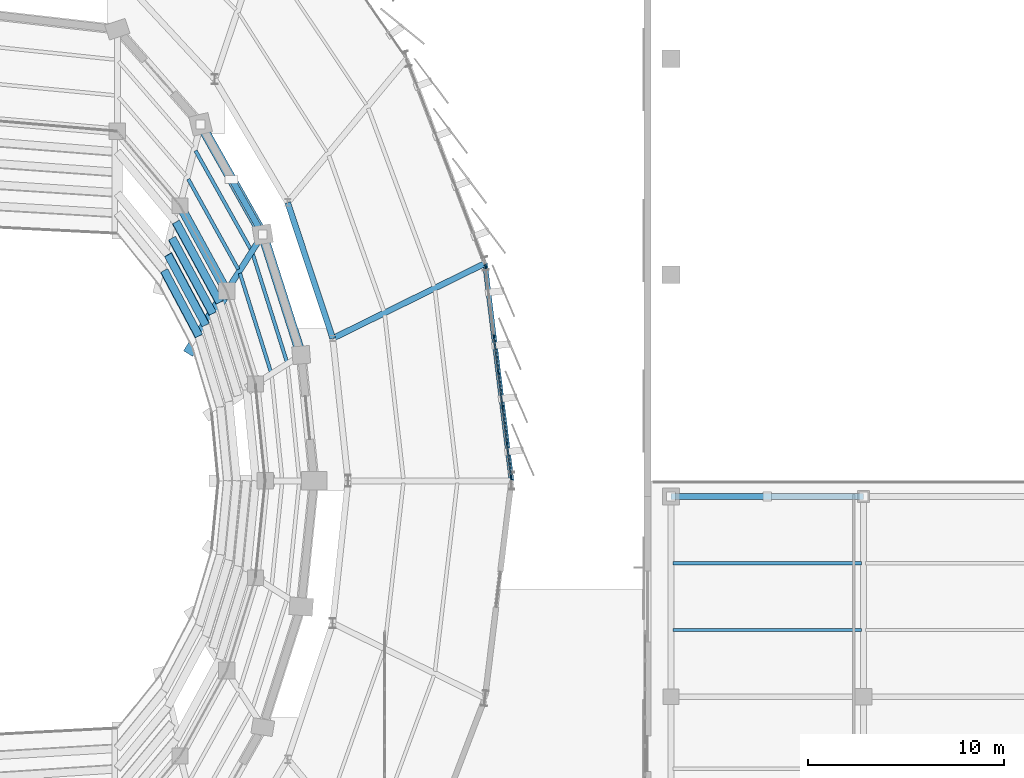
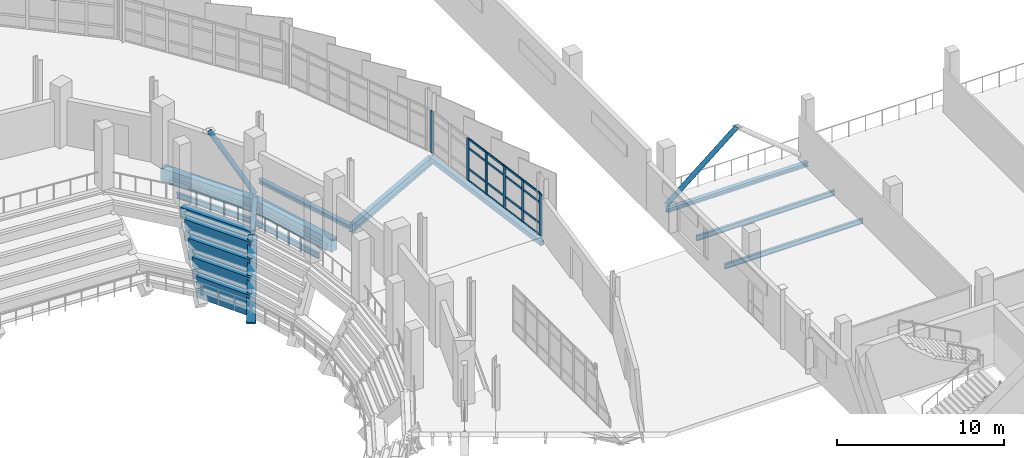
# One storey, part 73 of 134: 24 members, 23 beams, 1 element without a shape of its own.
"""IFC4 building model written with IfcOpenShell, lengths in metres."""

from ifc_helpers import new_model, si_unit, direction, frame, origin, origin_2d, place, context, subcontext, project, spatial, rectangle, hollow_rectangle, hollow_circle, i_section, extrude, material, layer, layer_set, material_profile, profile_set, type_object, element, aggregate, save


model = new_model("IFC4")

# Units and contexts
model_context = context("Model", 3, precision=1e-05, world=origin(), true_north=direction((0.0, 1.0)))
body_context = subcontext(model_context, "Body", "Model", "MODEL_VIEW")
ifc_project = project(units=[si_unit("LENGTHUNIT", "METRE"), si_unit("AREAUNIT", "SQUARE_METRE"), si_unit("VOLUMEUNIT", "CUBIC_METRE"), si_unit("PLANEANGLEUNIT", "RADIAN"), si_unit("MASSUNIT", "GRAM", prefix="KILO")], contexts=[model_context])

# Site, building, storey
site_placement = place(None, origin())
site = spatial("IfcSite", under=ifc_project, at=site_placement, CompositionType="ELEMENT")
building_placement = place(site_placement, origin())
building = spatial("IfcBuilding", under=site, at=building_placement, Name="Sohan Crest Arena", CompositionType="ELEMENT")
storey_placement = place(building_placement, frame((0.0, 0.0, 4.5)))
storey = spatial("IfcBuildingStorey", under=building, at=storey_placement, Name="L01", CompositionType="ELEMENT", Elevation=4.5)

# Curtain wall, members
ifc_material_1 = material(Name="Thermally broken anodised aluminium", Category="aluminium")
ifc_layer = layer(ifc_material_1, 0.2099609375, Name="Thermally broken anodised aluminium")
ifc_layer_set = layer_set([ifc_layer], Name="Thermally broken anodised aluminium")
curtain_wall_type = type_object("IfcCurtainWallType", Name="ARC-CW06", PredefinedType="NOTDEFINED", material=ifc_layer_set)
curtain_wall_placement = place(storey_placement, origin())
curtain_wall = element("IfcCurtainWall", 1, at=curtain_wall_placement, inside=storey, type_object=curtain_wall_type, Name="Unitised curtain wall CW-039", PredefinedType="NOTDEFINED")
ifc_material_profile_1 = material_profile(ifc_material_1, rectangle(XDim=0.074951171875, YDim=0.219970703125, at=origin_2d()), Name="ALU-MULL 75x220")
ifc_profile_set_1 = profile_set([ifc_material_profile_1], Name="Thermally broken anodised aluminium")
member_type_1 = type_object("IfcMemberType", Name="ARC-CW-ML04", PredefinedType="MULLION", material=ifc_profile_set_1)
member_1_placement = place(storey_placement, frame((188.056396484375, 78.166259765625, 0.0), z_axis=(0.0, 0.0, 1.0), x_axis=(-0.992629724266, -0.121186758784, 0.0)))
member_1 = element("IfcMember", 2, at=member_1_placement, type_object=member_type_1, Name="CW-039 mullion 1", PredefinedType="MULLION", context=body_context, shape_type="SweptSolid", body=[
    extrude(rectangle(XDim=0.074951171875, YDim=0.219970703125, at=origin_2d()), origin(), (0.0, 0.0, 1.0), 3.1201171875),
])
member_2_placement = place(storey_placement, frame((187.841064453125, 79.930908203125, 0.0), z_axis=(0.0, 0.0, 1.0), x_axis=(-0.992629724266, -0.121186758784, 0.0)))
member_2 = element("IfcMember", 3, at=member_2_placement, type_object=member_type_1, Name="CW-039 mullion 2", PredefinedType="MULLION", context=body_context, shape_type="SweptSolid", body=[
    extrude(rectangle(XDim=0.074951171875, YDim=0.219970703125, at=origin_2d()), origin(), (0.0, 0.0, 1.0), 3.1201171875),
])
member_3_placement = place(storey_placement, frame((187.62109375, 81.73291015625, 0.0), z_axis=(0.0, 0.0, 1.0), x_axis=(-0.992629724266, -0.121186758784, 0.0)))
member_3 = element("IfcMember", 4, at=member_3_placement, type_object=member_type_1, Name="CW-039 mullion 3", PredefinedType="MULLION", context=body_context, shape_type="SweptSolid", body=[
    extrude(rectangle(XDim=0.074951171875, YDim=0.219970703125, at=origin_2d()), origin(), (0.0, 0.0, 1.0), 3.1201171875),
])
member_4_placement = place(storey_placement, frame((187.40087890625, 83.534912109375, 0.0), z_axis=(0.0, 0.0, 1.0), x_axis=(-0.992629724266, -0.121186758784, 0.0)))
member_4 = element("IfcMember", 5, at=member_4_placement, type_object=member_type_1, Name="CW-039 mullion 4", PredefinedType="MULLION", context=body_context, shape_type="SweptSolid", body=[
    extrude(rectangle(XDim=0.074951171875, YDim=0.219970703125, at=origin_2d()), origin(), (0.0, 0.0, 1.0), 3.1201171875),
])
member_5_placement = place(storey_placement, frame((187.180908203125, 85.3369140625, 0.0), z_axis=(0.0, 0.0, 1.0), x_axis=(-0.992629724266, -0.121186758784, 0.0)))
member_5 = element("IfcMember", 6, at=member_5_placement, type_object=member_type_1, Name="CW-039 mullion 5", PredefinedType="MULLION", context=body_context, shape_type="SweptSolid", body=[
    extrude(rectangle(XDim=0.074951171875, YDim=0.219970703125, at=origin_2d()), origin(), (0.0, 0.0, 1.0), 3.1201171875),
])
member_6_placement = place(storey_placement, frame((186.74560546875, 88.90380859375, 0.0), z_axis=(0.0, 0.0, 1.0), x_axis=(-0.992629724266, -0.121186758784, 0.0)))
member_6 = element("IfcMember", 7, at=member_6_placement, type_object=member_type_1, Name="CW-039 mullion 7", PredefinedType="MULLION", context=body_context, shape_type="SweptSolid", body=[
    extrude(rectangle(XDim=0.074951171875, YDim=0.219970703125, at=origin_2d()), origin(), (0.0, 0.0, 1.0), 3.1201171875),
])
ifc_material_profile_2 = material_profile(ifc_material_1, rectangle(XDim=0.070068359375, YDim=0.14990234375, at=origin_2d()), Name="ALU-TRAN 70x150")
ifc_profile_set_2 = profile_set([ifc_material_profile_2], Name="Thermally broken anodised aluminium")
member_type_2 = type_object("IfcMemberType", Name="ARC-CW-TR03", PredefinedType="USERDEFINED", material=ifc_profile_set_2)
member_7_placement = place(storey_placement, frame((188.052001953125, 78.203369140625, 0.034912109375), z_axis=(-0.121281763467, 0.992618120855, 0.0), x_axis=(-0.992618120855, -0.121281763467, 0.0)))
member_7 = element("IfcMember", 8, at=member_7_placement, type_object=member_type_2, Name="CW-039 transom 1.1", ObjectType="TRANSOM", PredefinedType="USERDEFINED", context=body_context, shape_type="SweptSolid", body=[
    extrude(rectangle(XDim=0.070068359375, YDim=0.14990234375, at=origin_2d()), origin(), (0.0, 0.0, 1.0), 1.702880859375),
])
member_8_placement = place(storey_placement, frame((188.052001953125, 78.203369140625, 0.89990234375), z_axis=(-0.121281763467, 0.992618120855, 0.0), x_axis=(-0.992618120855, -0.121281763467, 0.0)))
member_8 = element("IfcMember", 9, at=member_8_placement, type_object=member_type_2, Name="CW-039 transom 1.2", ObjectType="TRANSOM", PredefinedType="USERDEFINED", context=body_context, shape_type="SweptSolid", body=[
    extrude(rectangle(XDim=0.070068359375, YDim=0.14990234375, at=origin_2d()), origin(), (0.0, 0.0, 1.0), 1.702880859375),
])
member_9_placement = place(storey_placement, frame((188.052001953125, 78.203369140625, 2.419921875), z_axis=(-0.121281763467, 0.992618120855, 0.0), x_axis=(-0.992618120855, -0.121281763467, 0.0)))
member_9 = element("IfcMember", 10, at=member_9_placement, type_object=member_type_2, Name="CW-039 transom 1.3", ObjectType="TRANSOM", PredefinedType="USERDEFINED", context=body_context, shape_type="SweptSolid", body=[
    extrude(rectangle(XDim=0.070068359375, YDim=0.14990234375, at=origin_2d()), origin(), (0.0, 0.0, 1.0), 1.702880859375),
])
member_10_placement = place(storey_placement, frame((188.052001953125, 78.203369140625, 3.0849609375), z_axis=(-0.121281763467, 0.992618120855, 0.0), x_axis=(-0.992618120855, -0.121281763467, 0.0)))
member_10 = element("IfcMember", 11, at=member_10_placement, type_object=member_type_2, Name="CW-039 transom 1.4", ObjectType="TRANSOM", PredefinedType="USERDEFINED", context=body_context, shape_type="SweptSolid", body=[
    extrude(rectangle(XDim=0.070068359375, YDim=0.14990234375, at=origin_2d()), origin(), (0.0, 0.0, 1.0), 1.702880859375),
])
member_11_placement = place(storey_placement, frame((187.83642578125, 79.96826171875, 0.034912109375), z_axis=(-0.121202713219, 0.992627776313, 0.0), x_axis=(-0.992627776313, -0.121202713219, 0.0)))
member_11 = element("IfcMember", 12, at=member_11_placement, type_object=member_type_2, Name="CW-039 transom 2.1", ObjectType="TRANSOM", PredefinedType="USERDEFINED", context=body_context, shape_type="SweptSolid", body=[
    extrude(rectangle(XDim=0.070068359375, YDim=0.14990234375, at=origin_2d()), origin(), (0.0, 0.0, 1.0), 1.740478515625),
])
member_12_placement = place(storey_placement, frame((187.83642578125, 79.96826171875, 0.89990234375), z_axis=(-0.121202713219, 0.992627776313, 0.0), x_axis=(-0.992627776313, -0.121202713219, 0.0)))
member_12 = element("IfcMember", 13, at=member_12_placement, type_object=member_type_2, Name="CW-039 transom 2.2", ObjectType="TRANSOM", PredefinedType="USERDEFINED", context=body_context, shape_type="SweptSolid", body=[
    extrude(rectangle(XDim=0.070068359375, YDim=0.14990234375, at=origin_2d()), origin(), (0.0, 0.0, 1.0), 1.740478515625),
])
member_13_placement = place(storey_placement, frame((187.83642578125, 79.96826171875, 2.419921875), z_axis=(-0.121202713219, 0.992627776313, 0.0), x_axis=(-0.992627776313, -0.121202713219, 0.0)))
member_13 = element("IfcMember", 14, at=member_13_placement, type_object=member_type_2, Name="CW-039 transom 2.3", ObjectType="TRANSOM", PredefinedType="USERDEFINED", context=body_context, shape_type="SweptSolid", body=[
    extrude(rectangle(XDim=0.070068359375, YDim=0.14990234375, at=origin_2d()), origin(), (0.0, 0.0, 1.0), 1.740478515625),
])
member_14_placement = place(storey_placement, frame((187.83642578125, 79.96826171875, 3.0849609375), z_axis=(-0.121202713219, 0.992627776313, 0.0), x_axis=(-0.992627776313, -0.121202713219, 0.0)))
member_14 = element("IfcMember", 15, at=member_14_placement, type_object=member_type_2, Name="CW-039 transom 2.4", ObjectType="TRANSOM", PredefinedType="USERDEFINED", context=body_context, shape_type="SweptSolid", body=[
    extrude(rectangle(XDim=0.070068359375, YDim=0.14990234375, at=origin_2d()), origin(), (0.0, 0.0, 1.0), 1.740478515625),
])
member_15_placement = place(storey_placement, frame((187.616455078125, 81.770263671875, 0.034912109375), z_axis=(-0.121202713219, 0.992627776313, 0.0), x_axis=(-0.992627776313, -0.121202713219, 0.0)))
member_15 = element("IfcMember", 16, at=member_15_placement, type_object=member_type_2, Name="CW-039 transom 3.1", ObjectType="TRANSOM", PredefinedType="USERDEFINED", context=body_context, shape_type="SweptSolid", body=[
    extrude(rectangle(XDim=0.070068359375, YDim=0.14990234375, at=origin_2d()), origin(), (0.0, 0.0, 1.0), 1.740478515625),
])
member_16_placement = place(storey_placement, frame((187.616455078125, 81.770263671875, 0.89990234375), z_axis=(-0.121202713219, 0.992627776313, 0.0), x_axis=(-0.992627776313, -0.121202713219, 0.0)))
member_16 = element("IfcMember", 17, at=member_16_placement, type_object=member_type_2, Name="CW-039 transom 3.2", ObjectType="TRANSOM", PredefinedType="USERDEFINED", context=body_context, shape_type="SweptSolid", body=[
    extrude(rectangle(XDim=0.070068359375, YDim=0.14990234375, at=origin_2d()), origin(), (0.0, 0.0, 1.0), 1.740478515625),
])
member_17_placement = place(storey_placement, frame((187.616455078125, 81.770263671875, 2.419921875), z_axis=(-0.121202713219, 0.992627776313, 0.0), x_axis=(-0.992627776313, -0.121202713219, 0.0)))
member_17 = element("IfcMember", 18, at=member_17_placement, type_object=member_type_2, Name="CW-039 transom 3.3", ObjectType="TRANSOM", PredefinedType="USERDEFINED", context=body_context, shape_type="SweptSolid", body=[
    extrude(rectangle(XDim=0.070068359375, YDim=0.14990234375, at=origin_2d()), origin(), (0.0, 0.0, 1.0), 1.740478515625),
])
member_18_placement = place(storey_placement, frame((187.616455078125, 81.770263671875, 3.0849609375), z_axis=(-0.121202713219, 0.992627776313, 0.0), x_axis=(-0.992627776313, -0.121202713219, 0.0)))
member_18 = element("IfcMember", 19, at=member_18_placement, type_object=member_type_2, Name="CW-039 transom 3.4", ObjectType="TRANSOM", PredefinedType="USERDEFINED", context=body_context, shape_type="SweptSolid", body=[
    extrude(rectangle(XDim=0.070068359375, YDim=0.14990234375, at=origin_2d()), origin(), (0.0, 0.0, 1.0), 1.740478515625),
])
member_19_placement = place(storey_placement, frame((187.396484375, 83.572265625, 0.034912109375), z_axis=(-0.121202713219, 0.992627776313, 0.0), x_axis=(-0.992627776313, -0.121202713219, 0.0)))
member_19 = element("IfcMember", 20, at=member_19_placement, type_object=member_type_2, Name="CW-039 transom 4.1", ObjectType="TRANSOM", PredefinedType="USERDEFINED", context=body_context, shape_type="SweptSolid", body=[
    extrude(rectangle(XDim=0.070068359375, YDim=0.14990234375, at=origin_2d()), origin(), (0.0, 0.0, 1.0), 1.740478515625),
])
member_20_placement = place(storey_placement, frame((187.396484375, 83.572265625, 0.89990234375), z_axis=(-0.121202713219, 0.992627776313, 0.0), x_axis=(-0.992627776313, -0.121202713219, 0.0)))
member_20 = element("IfcMember", 21, at=member_20_placement, type_object=member_type_2, Name="CW-039 transom 4.2", ObjectType="TRANSOM", PredefinedType="USERDEFINED", context=body_context, shape_type="SweptSolid", body=[
    extrude(rectangle(XDim=0.070068359375, YDim=0.14990234375, at=origin_2d()), origin(), (0.0, 0.0, 1.0), 1.740478515625),
])
member_21_placement = place(storey_placement, frame((187.396484375, 83.572265625, 2.419921875), z_axis=(-0.121202713219, 0.992627776313, 0.0), x_axis=(-0.992627776313, -0.121202713219, 0.0)))
member_21 = element("IfcMember", 22, at=member_21_placement, type_object=member_type_2, Name="CW-039 transom 4.3", ObjectType="TRANSOM", PredefinedType="USERDEFINED", context=body_context, shape_type="SweptSolid", body=[
    extrude(rectangle(XDim=0.070068359375, YDim=0.14990234375, at=origin_2d()), origin(), (0.0, 0.0, 1.0), 1.740478515625),
])
member_22_placement = place(storey_placement, frame((187.396484375, 83.572265625, 3.0849609375), z_axis=(-0.121202713219, 0.992627776313, 0.0), x_axis=(-0.992627776313, -0.121202713219, 0.0)))
member_22 = element("IfcMember", 23, at=member_22_placement, type_object=member_type_2, Name="CW-039 transom 4.4", ObjectType="TRANSOM", PredefinedType="USERDEFINED", context=body_context, shape_type="SweptSolid", body=[
    extrude(rectangle(XDim=0.070068359375, YDim=0.14990234375, at=origin_2d()), origin(), (0.0, 0.0, 1.0), 1.740478515625),
])
aggregate(curtain_wall, [member_1, member_2, member_3, member_4, member_5, member_6, member_7, member_8, member_9, member_10, member_11, member_12, member_13, member_14, member_15, member_16, member_17, member_18, member_19, member_20, member_21, member_22])

# Beams
ifc_material_2 = material(Name="Steel S355", Category="steel")
ifc_material_profile_3 = material_profile(ifc_material_2, i_section(OverallWidth=0.169921875, OverallDepth=0.360107421875, WebThickness=0.008056640625, FlangeThickness=0.0126953125, at=origin_2d()), Name="IPE 360")
ifc_profile_set_3 = profile_set([ifc_material_profile_3], Name="Steel S355")
beam_type_1 = type_object("IfcBeamType", Name="STR-BM-B02", PredefinedType="JOIST", material=ifc_profile_set_3)
for number, where, z_axis, x_axis, name in (
    (24, (196.31005859375, 70.39990234375, -0.409912109375), (1.0, 0.0, 0.0), (0.0, 1.0, 0.0), "Structural beam J-L01-2293"),
    (25, (196.31005859375, 73.800048828125, -0.409912109375), (1.0, 0.0, 0.0), (0.0, 1.0, 0.0), "Structural beam J-L01-2294"),
):
    element("IfcBeam", number, at=place(storey_placement, frame(where, z_axis=z_axis, x_axis=x_axis)), inside=storey, type_object=beam_type_1, Name=name, PredefinedType="JOIST", context=body_context, shape_type="SweptSolid", body=[
        extrude(i_section(OverallWidth=0.169921875, OverallDepth=0.360107421875, WebThickness=0.008056640625, FlangeThickness=0.0126953125, at=origin_2d()), origin(), (0.0, 0.0, 1.0), 9.579833984375),
    ])
ifc_material_profile_4 = material_profile(ifc_material_2, i_section(OverallWidth=0.179931640625, OverallDepth=0.39990234375, WebThickness=0.008544921875, FlangeThickness=0.013427734375, at=origin_2d()), Name="IPE 400")
ifc_profile_set_4 = profile_set([ifc_material_profile_4], Name="Steel S355")
beam_type_2 = type_object("IfcBeamType", Name="STR-BM-B03", PredefinedType="JOIST", material=ifc_profile_set_4)
beam_1_placement = place(storey_placement, frame((175.818115234375, 83.552001953125, -0.449951171875), z_axis=(-0.298949451422, 0.954268948198, 0.0), x_axis=(-0.954268948198, -0.298949451422, 0.0)))
element("IfcBeam", 26, at=beam_1_placement, inside=storey, type_object=beam_type_2, Name="Structural beam J-L01-0599", PredefinedType="JOIST", context=body_context, shape_type="SweptSolid", body=[
    extrude(i_section(OverallWidth=0.179931640625, OverallDepth=0.39990234375, WebThickness=0.008544921875, FlangeThickness=0.013427734375, at=origin_2d()), origin(), (0.0, 0.0, 1.0), 5.255126953125),
])
beam_2_placement = place(storey_placement, frame((176.632080078125, 84.069091796875, -0.449951171875), z_axis=(-0.301440884565, 0.953484867794, 0.0), x_axis=(-0.953484867794, -0.301440884565, 0.0)))
element("IfcBeam", 27, at=beam_2_placement, inside=storey, type_object=beam_type_2, Name="Structural beam J-L01-0600", PredefinedType="JOIST", context=body_context, shape_type="SweptSolid", body=[
    extrude(i_section(OverallWidth=0.179931640625, OverallDepth=0.39990234375, WebThickness=0.008544921875, FlangeThickness=0.013427734375, at=origin_2d()), origin(), (0.0, 0.0, 1.0), 5.775390625),
])
beam_3_placement = place(storey_placement, frame((174.160888671875, 88.76806640625, -0.449951171875), z_axis=(-0.484550137215, 0.874763490622, 0.0), x_axis=(-0.874763490622, -0.484550137215, 0.0)))
element("IfcBeam", 28, at=beam_3_placement, inside=storey, type_object=beam_type_2, Name="Structural beam J-L01-0622", PredefinedType="JOIST", context=body_context, shape_type="SweptSolid", body=[
    extrude(i_section(OverallWidth=0.179931640625, OverallDepth=0.39990234375, WebThickness=0.008544921875, FlangeThickness=0.013427734375, at=origin_2d()), origin(), (0.0, 0.0, 1.0), 5.256103515625),
])
beam_4_placement = place(storey_placement, frame((174.803955078125, 89.777099609375, -0.449951171875), z_axis=(-0.488712798321, 0.872444726477, 0.0), x_axis=(-0.872444726477, -0.488712798321, 0.0)))
element("IfcBeam", 29, at=beam_4_placement, inside=storey, type_object=beam_type_2, Name="Structural beam J-L01-0623", PredefinedType="JOIST", context=body_context, shape_type="SweptSolid", body=[
    extrude(i_section(OverallWidth=0.179931640625, OverallDepth=0.39990234375, WebThickness=0.008544921875, FlangeThickness=0.013427734375, at=origin_2d()), origin(), (0.0, 0.0, 1.0), 5.7744140625),
])
ifc_material_profile_5 = material_profile(ifc_material_2, i_section(OverallWidth=0.300048828125, OverallDepth=0.2900390625, WebThickness=0.008544921875, FlangeThickness=0.013916015625, at=origin_2d()), Name="HEA 300")
ifc_profile_set_5 = profile_set([ifc_material_profile_5], Name="Steel S355")
beam_type_3 = type_object("IfcBeamType", Name="STR-BM-B08", PredefinedType="BEAM", material=ifc_profile_set_5)
beam_5_placement = place(storey_placement, frame((196.199951171875, 77.199951171875, -0.375), z_axis=(1.0, 0.0, 0.0), x_axis=(0.0, 1.0, 0.0)))
element("IfcBeam", 30, at=beam_5_placement, inside=storey, type_object=beam_type_3, Name="Structural beam G-L01-2301", PredefinedType="BEAM", context=body_context, shape_type="SweptSolid", body=[
    extrude(i_section(OverallWidth=0.300048828125, OverallDepth=0.2900390625, WebThickness=0.008544921875, FlangeThickness=0.013916015625, at=origin_2d()), origin(), (0.0, 0.0, 1.0), 9.800048828125),
])
ifc_material_profile_6 = material_profile(ifc_material_2, i_section(OverallWidth=0.300048828125, OverallDepth=0.590087890625, WebThickness=0.012939453125, FlangeThickness=0.02490234375, at=origin_2d()), Name="HEA 600")
ifc_profile_set_6 = profile_set([ifc_material_profile_6], Name="Steel S355")
beam_type_4 = type_object("IfcBeamType", Name="STR-BM-B11", PredefinedType="BEAM", material=ifc_profile_set_6)
beam_6_placement = place(storey_placement, frame((173.571044921875, 87.6640625, -0.544921875), z_axis=(0.537836706891, 0.843049035775, 0.0), x_axis=(-0.843049035775, 0.537836706891, 0.0)))
element("IfcBeam", 31, at=beam_6_placement, inside=storey, type_object=beam_type_4, Name="Structural beam G-L01-0621", PredefinedType="BEAM", context=body_context, shape_type="SweptSolid", body=[
    extrude(i_section(OverallWidth=0.300048828125, OverallDepth=0.590087890625, WebThickness=0.012939453125, FlangeThickness=0.02490234375, at=origin_2d()), origin(), (0.0, 0.0, 1.0), 3.417236328125),
])
beam_7_placement = place(storey_placement, frame((178.971923828125, 85.251953125, -0.570068359375), z_axis=(0.897117109087, 0.441792816356, 0.0), x_axis=(-0.441792816356, 0.897117109087, 0.0)))
element("IfcBeam", 32, at=beam_7_placement, inside=storey, type_object=beam_type_4, Name="Structural beam G-L01-1197", PredefinedType="BEAM", context=body_context, shape_type="SweptSolid", body=[
    extrude(i_section(OverallWidth=0.300048828125, OverallDepth=0.590087890625, WebThickness=0.012939453125, FlangeThickness=0.02490234375, at=origin_2d()), origin(), (0.0, 0.0, 1.0), 8.642333984375),
])
ifc_material_profile_7 = material_profile(ifc_material_2, i_section(OverallWidth=0.300048828125, OverallDepth=0.300048828125, WebThickness=0.010986328125, FlangeThickness=0.01904296875, at=origin_2d()), Name="HEB 300")
ifc_profile_set_7 = profile_set([ifc_material_profile_7], Name="Steel S355")
beam_type_5 = type_object("IfcBeamType", Name="STR-BM-B12", PredefinedType="BEAM", material=ifc_profile_set_7)
beam_8_placement = place(storey_placement, frame((178.971923828125, 85.251953125, -0.425048828125), z_axis=(-0.315012572955, 0.949087498011, 0.0), x_axis=(-0.949087498011, -0.315012572955, 0.0)))
element("IfcBeam", 33, at=beam_8_placement, inside=storey, type_object=beam_type_5, Name="Structural beam G-L01-1198", PredefinedType="BEAM", context=body_context, shape_type="SweptSolid", body=[
    extrude(i_section(OverallWidth=0.300048828125, OverallDepth=0.300048828125, WebThickness=0.010986328125, FlangeThickness=0.01904296875, at=origin_2d()), origin(), (0.0, 0.0, 1.0), 7.29443359375),
])
ifc_material_3 = material(Name="Precast concrete C50/60", Category="concrete")
ifc_material_profile_8 = material_profile(ifc_material_3, rectangle(XDim=0.550048828125, YDim=1.0, at=origin_2d()), Name="RAKER 550x1000")
ifc_profile_set_8 = profile_set([ifc_material_profile_8], Name="Precast concrete C50/60")
beam_type_6 = type_object("IfcBeamType", Name="STR-BM-RK02", PredefinedType="USERDEFINED", material=ifc_profile_set_8)
beam_9_placement = place(storey_placement, frame((171.80908203125, 84.804931640625, -4.75), z_axis=(0.332446164004, 0.539459197263, 0.773604112274), x_axis=(-0.851326184366, 0.524636757969, 0.0)))
element("IfcBeam", 34, at=beam_9_placement, inside=storey, type_object=beam_type_6, Name="Structural beam RK-L01-0876", ObjectType="RAKER", PredefinedType="USERDEFINED", context=body_context, shape_type="SweptSolid", body=[
    extrude(rectangle(XDim=0.550048828125, YDim=1.0, at=origin_2d()), origin(), (0.0, 0.0, 1.0), 5.300048828125),
])
ifc_material_profile_9 = material_profile(ifc_material_2, hollow_rectangle(XDim=0.25, YDim=0.35009765625, WallThickness=0.012451171875, at=origin_2d()), Name="RHS 350x250x12.5")
ifc_profile_set_9 = profile_set([ifc_material_profile_9], Name="Steel S355")
beam_type_7 = type_object("IfcBeamType", Name="STR-BM-SP04", PredefinedType="SPANDREL", material=ifc_profile_set_9)
beam_10_placement = place(storey_placement, frame((188.076904296875, 78.0, -0.449951171875), z_axis=(-0.121213260401, 0.992626488415, 0.0), x_axis=(-0.992626488415, -0.121213260401, 0.0)))
element("IfcBeam", 35, at=beam_10_placement, inside=storey, type_object=beam_type_7, Name="Structural beam SP-L01-1194", PredefinedType="SPANDREL", context=body_context, shape_type="SweptSolid", body=[
    extrude(hollow_rectangle(XDim=0.25, YDim=0.35009765625, WallThickness=0.012451171875, at=origin_2d()), origin(), (0.0, 0.0, 1.0), 11.15234375),
])
ifc_material_4 = material(Name="Concrete C40/50", Category="concrete")
ifc_material_profile_10 = material_profile(ifc_material_4, rectangle(XDim=0.39990234375, YDim=0.699951171875, at=origin_2d()), Name="RC-BM 400x700")
ifc_profile_set_10 = profile_set([ifc_material_profile_10], Name="Concrete C40/50")
beam_type_8 = type_object("IfcBeamType", Name="STR-BM-TB01", PredefinedType="BEAM", material=ifc_profile_set_10)
beam_11_placement = place(storey_placement, frame((172.14697265625, 85.35400390625, -4.220947265625), z_axis=(-0.469194722101, 0.883094736001, 0.0), x_axis=(-0.883094736001, -0.469194722101, 0.0)))
element("IfcBeam", 36, at=beam_11_placement, inside=storey, type_object=beam_type_8, Name="Tier rear stringer beam TSB-L187B", PredefinedType="BEAM", context=body_context, shape_type="SweptSolid", body=[
    extrude(rectangle(XDim=0.39990234375, YDim=0.699951171875, at=origin_2d()), origin(), (0.0, 0.0, 1.0), 3.76611328125),
])
beam_12_placement = place(storey_placement, frame((172.160888671875, 85.376953125, -3.40087890625), z_axis=(-0.469306420807, 0.883035380599, 0.0), x_axis=(-0.883035380599, -0.469306420807, 0.0)))
element("IfcBeam", 37, at=beam_12_placement, inside=storey, type_object=beam_type_8, Name="Tier front stringer beam TSB-L188A", PredefinedType="BEAM", context=body_context, shape_type="SweptSolid", body=[
    extrude(rectangle(XDim=0.39990234375, YDim=0.699951171875, at=origin_2d()), origin(), (0.0, 0.0, 1.0), 3.77783203125),
])
beam_13_placement = place(storey_placement, frame((172.5, 85.926025390625, -3.40087890625), z_axis=(-0.472546710025, 0.881305626241, 0.0), x_axis=(-0.881305626241, -0.472546710025, 0.0)))
element("IfcBeam", 38, at=beam_13_placement, inside=storey, type_object=beam_type_8, Name="Tier rear stringer beam TSB-L188B", PredefinedType="BEAM", context=body_context, shape_type="SweptSolid", body=[
    extrude(rectangle(XDim=0.39990234375, YDim=0.699951171875, at=origin_2d()), origin(), (0.0, 0.0, 1.0), 4.060791015625),
])
beam_14_placement = place(storey_placement, frame((172.513916015625, 85.948974609375, -2.5810546875), z_axis=(-0.472615619789, 0.881268674089, 0.0), x_axis=(-0.881268674089, -0.472615619789, 0.0)))
element("IfcBeam", 39, at=beam_14_placement, inside=storey, type_object=beam_type_8, Name="Tier front stringer beam TSB-L189A", PredefinedType="BEAM", context=body_context, shape_type="SweptSolid", body=[
    extrude(rectangle(XDim=0.39990234375, YDim=0.699951171875, at=origin_2d()), origin(), (0.0, 0.0, 1.0), 4.07275390625),
])
beam_15_placement = place(storey_placement, frame((172.85205078125, 86.498046875, -2.5810546875), z_axis=(-0.475206218171, 0.879874451391, 0.0), x_axis=(-0.879874451391, -0.475206218171, 0.0)))
element("IfcBeam", 40, at=beam_15_placement, inside=storey, type_object=beam_type_8, Name="Tier rear stringer beam TSB-L189B", PredefinedType="BEAM", context=body_context, shape_type="SweptSolid", body=[
    extrude(rectangle(XDim=0.39990234375, YDim=0.699951171875, at=origin_2d()), origin(), (0.0, 0.0, 1.0), 4.35400390625),
])
beam_16_placement = place(storey_placement, frame((172.865966796875, 86.52001953125, -1.760986328125), z_axis=(-0.475193068579, 0.879881553151, 0.0), x_axis=(-0.879881553151, -0.475193068579, 0.0)))
element("IfcBeam", 41, at=beam_16_placement, inside=storey, type_object=beam_type_8, Name="Tier front stringer beam TSB-L190A", PredefinedType="BEAM", context=body_context, shape_type="SweptSolid", body=[
    extrude(rectangle(XDim=0.39990234375, YDim=0.699951171875, at=origin_2d()), origin(), (0.0, 0.0, 1.0), 4.366455078125),
])
beam_17_placement = place(storey_placement, frame((173.205078125, 87.069091796875, -1.760986328125), z_axis=(-0.477696591408, 0.878524881012, 0.0), x_axis=(-0.878524881012, -0.477696591408, 0.0)))
element("IfcBeam", 42, at=beam_17_placement, inside=storey, type_object=beam_type_8, Name="Tier rear stringer beam TSB-L190B", PredefinedType="BEAM", context=body_context, shape_type="SweptSolid", body=[
    extrude(rectangle(XDim=0.39990234375, YDim=0.699951171875, at=origin_2d()), origin(), (0.0, 0.0, 1.0), 4.64990234375),
])
beam_18_placement = place(storey_placement, frame((173.218994140625, 87.092041015625, -0.94091796875), z_axis=(-0.47776556485, 0.878487373298, 0.0), x_axis=(-0.878487373298, -0.47776556485, 0.0)))
element("IfcBeam", 43, at=beam_18_placement, inside=storey, type_object=beam_type_8, Name="Tier front stringer beam TSB-L191A", PredefinedType="BEAM", context=body_context, shape_type="SweptSolid", body=[
    extrude(rectangle(XDim=0.39990234375, YDim=0.699951171875, at=origin_2d()), origin(), (0.0, 0.0, 1.0), 4.661376953125),
])
ifc_material_profile_11 = material_profile(ifc_material_4, rectangle(XDim=0.449951171875, YDim=0.800048828125, at=origin_2d()), Name="RC-BM 450x800")
ifc_profile_set_11 = profile_set([ifc_material_profile_11], Name="Concrete C40/50")
beam_type_9 = type_object("IfcBeamType", Name="STR-BM-TB02", PredefinedType="BEAM", material=ifc_profile_set_11)
beam_19_placement = place(storey_placement, frame((173.571044921875, 87.6640625, -0.64990234375), z_axis=(-0.479687297687, 0.877439511555, 0.0), x_axis=(-0.877439511555, -0.479687297687, 0.0)))
element("IfcBeam", 44, at=beam_19_placement, inside=storey, type_object=beam_type_9, Name="Structural beam TB-L01-0619", PredefinedType="BEAM", context=body_context, shape_type="SweptSolid", body=[
    extrude(rectangle(XDim=0.449951171875, YDim=0.800048828125, at=origin_2d()), origin(), (0.0, 0.0, 1.0), 4.955322265625),
])
ifc_material_profile_12 = material_profile(ifc_material_4, rectangle(XDim=0.5, YDim=0.89990234375, at=origin_2d()), Name="RC-BM 500x900")
ifc_profile_set_12 = profile_set([ifc_material_profile_12], Name="Concrete C40/50")
beam_type_10 = type_object("IfcBeamType", Name="STR-BM-TB03", PredefinedType="BEAM", material=ifc_profile_set_12)
beam_20_placement = place(storey_placement, frame((177.363037109375, 84.406982421875, -0.699951171875), z_axis=(-0.303361657972, 0.952875492639, 0.0), x_axis=(-0.952875492639, -0.303361657972, 0.0)))
element("IfcBeam", 45, at=beam_20_placement, inside=storey, type_object=beam_type_10, Name="Structural beam TB-L01-0597", PredefinedType="BEAM", context=body_context, shape_type="SweptSolid", body=[
    extrude(rectangle(XDim=0.5, YDim=0.89990234375, at=origin_2d()), origin(), (0.0, 0.0, 1.0), 6.44140625),
])
beam_21_placement = place(storey_placement, frame((175.408935546875, 90.544921875, -0.699951171875), z_axis=(-0.491543833039, 0.870852834985, 0.0), x_axis=(-0.870852834985, -0.491543833039, 0.0)))
element("IfcBeam", 46, at=beam_21_placement, inside=storey, type_object=beam_type_10, Name="Structural beam TB-L01-0620", PredefinedType="BEAM", context=body_context, shape_type="SweptSolid", body=[
    extrude(rectangle(XDim=0.5, YDim=0.89990234375, at=origin_2d()), origin(), (0.0, 0.0, 1.0), 6.44091796875),
])

# Members
ifc_material_profile_13 = material_profile(ifc_material_2, hollow_circle(Radius=0.161865234375, WallThickness=0.012451171875, at=origin_2d()), Name="CHS 323.9x12.5")
ifc_profile_set_13 = profile_set([ifc_material_profile_13], Name="Steel S355")
member_type_3 = type_object("IfcMemberType", Name="STR-MEM-BR03", PredefinedType="BRACE", material=ifc_profile_set_13)
member_23_placement = place(storey_placement, frame((175.408935546875, 90.544921875, 0.0), z_axis=(-0.332804726156, 0.589748041878, 0.735824884975), x_axis=(-0.870898615033, -0.491462717134, 0.0)))
element("IfcMember", 47, at=member_23_placement, inside=storey, type_object=member_type_3, Name="Concentric lateral chevron brace BR-027", PredefinedType="BRACE", context=body_context, shape_type="SweptSolid", body=[
    extrude(hollow_circle(Radius=0.161865234375, WallThickness=0.012451171875, at=origin_2d()), origin(), (0.0, 0.0, 1.0), 4.756591796875),
])
member_24_placement = place(storey_placement, frame((196.199951171875, 77.199951171875, 0.0), z_axis=(0.773120832569, 0.0, 0.634258762846), x_axis=(0.0, 1.0, 0.0)))
element("IfcMember", 48, at=member_24_placement, inside=storey, type_object=member_type_3, Name="Practice hall chevron brace BR-037", PredefinedType="BRACE", context=body_context, shape_type="SweptSolid", body=[
    extrude(hollow_circle(Radius=0.161865234375, WallThickness=0.012451171875, at=origin_2d()), origin(), (0.0, 0.0, 1.0), 6.338134765625),
])

save(model, "model.ifc")
